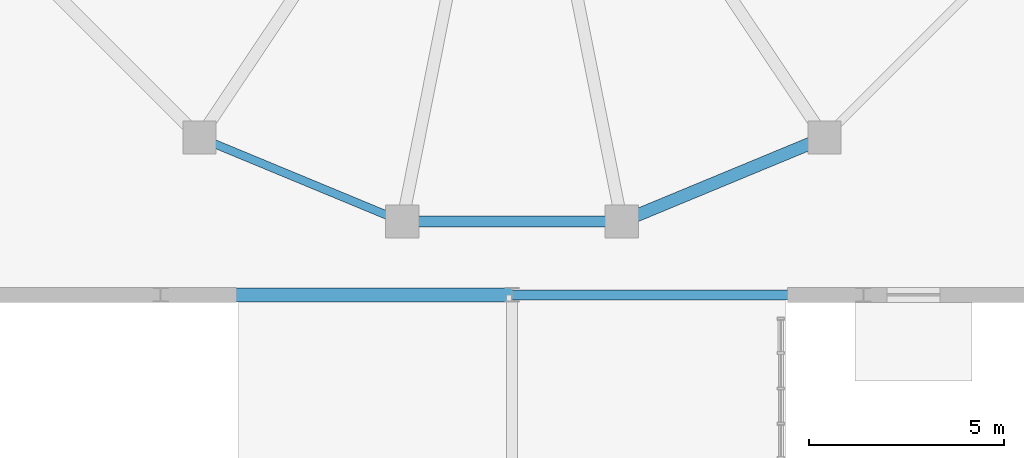
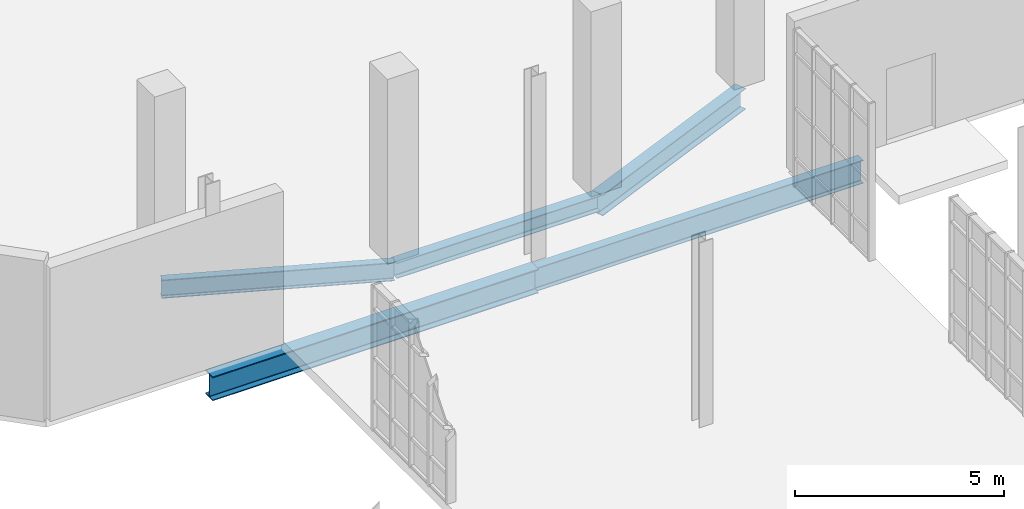
# One storey, part 34 of 189: 5 beams.
"""IFC4 building model written with IfcOpenShell, lengths in metres."""

from ifc_helpers import new_model, si_unit, direction, frame, origin, origin_2d, place, context, subcontext, project, spatial, i_section, extrude, material, material_profile, profile_set, type_object, element, save


model = new_model("IFC4")

# Units and contexts
model_context = context("Model", 3, precision=1e-05, world=origin(), true_north=direction((0.0, 1.0)))
body_context = subcontext(model_context, "Body", "Model", "MODEL_VIEW")
ifc_project = project(units=[si_unit("LENGTHUNIT", "METRE"), si_unit("AREAUNIT", "SQUARE_METRE"), si_unit("VOLUMEUNIT", "CUBIC_METRE"), si_unit("PLANEANGLEUNIT", "RADIAN"), si_unit("MASSUNIT", "GRAM", prefix="KILO"), si_unit("THERMODYNAMICTEMPERATUREUNIT", "KELVIN"), si_unit("POWERUNIT", "WATT")], contexts=[model_context])

# Site, building, storey
site_placement = place(None, origin())
site = spatial("IfcSite", under=ifc_project, at=site_placement, CompositionType="ELEMENT")
building_placement = place(site_placement, origin())
building = spatial("IfcBuilding", under=site, at=building_placement, Name="Zelmaris Science Centre", CompositionType="ELEMENT")
storey_placement = place(building_placement, origin())
storey = spatial("IfcBuildingStorey", under=building, at=storey_placement, Name="L00", CompositionType="ELEMENT", Elevation=0.0)

# Beams
ifc_material = material(Name="Steel ASTM A992 Grade 50", Category="steel")
ifc_material_profile_1 = material_profile(ifc_material, i_section(OverallWidth=0.35595703125, OverallDepth=0.700927734375, WebThickness=0.016845703125, FlangeThickness=0.02734375, FilletRadius=0.01806640625, at=origin_2d()), Name="W27X161")
ifc_profile_set_1 = profile_set([ifc_material_profile_1], Name="Steel ASTM A992 Grade 50")
beam_type_1 = type_object("IfcBeamType", Name="Beam G-35 W27X161", PredefinedType="BEAM", material=ifc_profile_set_1)
beam_1_placement = place(storey_placement, frame((18.0, 56.0, -0.630615234375), z_axis=(1.0, 0.0, 0.0), x_axis=(0.0, 1.0, 0.0)))
element("IfcBeam", 1, at=beam_1_placement, inside=storey, type_object=beam_type_1, Name="L00 East-west girder 148", PredefinedType="BEAM", context=body_context, shape_type="SweptSolid", body=[
    extrude(i_section(OverallWidth=0.35595703125, OverallDepth=0.700927734375, WebThickness=0.016845703125, FlangeThickness=0.02734375, FilletRadius=0.01806640625, at=origin_2d()), origin(), (0.0, 0.0, 1.0), 9.0),
])
ifc_material_profile_2 = material_profile(ifc_material, i_section(OverallWidth=0.25390625, OverallDepth=0.677978515625, WebThickness=0.01171875, FlangeThickness=0.016357421875, FilletRadius=0.01806640625, at=origin_2d()), Name="W27X84")
ifc_profile_set_2 = profile_set([ifc_material_profile_2], Name="Steel ASTM A992 Grade 50")
beam_type_2 = type_object("IfcBeamType", Name="Beam G-36 W27X84", PredefinedType="BEAM", material=ifc_profile_set_2)
beam_2_placement = place(storey_placement, frame((27.0, 56.0, -0.618896484375), z_axis=(1.0, 0.0, 0.0), x_axis=(0.0, 1.0, 0.0)))
element("IfcBeam", 2, at=beam_2_placement, inside=storey, type_object=beam_type_2, Name="L00 East-west girder 149", PredefinedType="BEAM", context=body_context, shape_type="SweptSolid", body=[
    extrude(i_section(OverallWidth=0.25390625, OverallDepth=0.677978515625, WebThickness=0.01171875, FlangeThickness=0.016357421875, FilletRadius=0.01806640625, at=origin_2d()), origin(), (0.0, 0.0, 1.0), 9.0),
])
ifc_material_profile_3 = material_profile(ifc_material, i_section(OverallWidth=0.324951171875, OverallDepth=0.612060546875, WebThickness=0.0126953125, FlangeThickness=0.01904296875, FilletRadius=0.014892578125, at=origin_2d()), Name="W24X104")
ifc_profile_set_3 = profile_set([ifc_material_profile_3], Name="Steel ASTM A992 Grade 50")
beam_type_3 = type_object("IfcBeamType", Name="Beam SP-01 W24X104", PredefinedType="SPANDREL", material=ifc_profile_set_3)
beam_3_placement = place(storey_placement, frame((29.809326171875, 57.876708984375, -0.5859375), z_axis=(0.923879667137, 0.38268310735, 0.0), x_axis=(-0.38268310735, 0.923879667137, 0.0)))
element("IfcBeam", 3, at=beam_3_placement, inside=storey, type_object=beam_type_3, Name="L00 Planetarium drum ring beam 13", PredefinedType="SPANDREL", context=body_context, shape_type="SweptSolid", body=[
    extrude(i_section(OverallWidth=0.324951171875, OverallDepth=0.612060546875, WebThickness=0.0126953125, FlangeThickness=0.01904296875, FilletRadius=0.014892578125, at=origin_2d()), origin(), (0.0, 0.0, 1.0), 5.61865234375),
])
ifc_material_profile_4 = material_profile(ifc_material, i_section(OverallWidth=0.2109375, OverallDepth=0.5380859375, WebThickness=0.01171875, FlangeThickness=0.018798828125, FilletRadius=0.013916015625, at=origin_2d()), Name="W21X73")
ifc_profile_set_4 = profile_set([ifc_material_profile_4], Name="Steel ASTM A992 Grade 50")
beam_type_4 = type_object("IfcBeamType", Name="Beam SP-02 W21X73", PredefinedType="SPANDREL", material=ifc_profile_set_4)
beam_4_placement = place(storey_placement, frame((18.999755859375, 60.02685546875, -0.549072265625), z_axis=(0.923879667137, -0.38268310735, 0.0), x_axis=(0.38268310735, 0.923879667137, 0.0)))
element("IfcBeam", 4, at=beam_4_placement, inside=storey, type_object=beam_type_4, Name="L00 Planetarium drum ring beam 11", PredefinedType="SPANDREL", context=body_context, shape_type="SweptSolid", body=[
    extrude(i_section(OverallWidth=0.2109375, OverallDepth=0.5380859375, WebThickness=0.01171875, FlangeThickness=0.018798828125, FilletRadius=0.013916015625, at=origin_2d()), origin(), (0.0, 0.0, 1.0), 5.61865234375),
])
ifc_material_profile_5 = material_profile(ifc_material, i_section(OverallWidth=0.279052734375, OverallDepth=0.4619140625, WebThickness=0.0107421875, FlangeThickness=0.017333984375, FilletRadius=0.012939453125, at=origin_2d()), Name="W18X76")
ifc_profile_set_5 = profile_set([ifc_material_profile_5], Name="Steel ASTM A992 Grade 50")
beam_type_5 = type_object("IfcBeamType", Name="Beam SP-03 W18X76", PredefinedType="SPANDREL", material=ifc_profile_set_5)
beam_5_placement = place(storey_placement, frame((24.190673828125, 57.876708984375, -0.510986328125), z_axis=(1.0, 0.0, 0.0), x_axis=(0.0, 1.0, 0.0)))
element("IfcBeam", 5, at=beam_5_placement, inside=storey, type_object=beam_type_5, Name="L00 Planetarium drum ring beam 12", PredefinedType="SPANDREL", context=body_context, shape_type="SweptSolid", body=[
    extrude(i_section(OverallWidth=0.279052734375, OverallDepth=0.4619140625, WebThickness=0.0107421875, FlangeThickness=0.017333984375, FilletRadius=0.012939453125, at=origin_2d()), origin(), (0.0, 0.0, 1.0), 5.61865234375),
])

save(model, "model.ifc")
